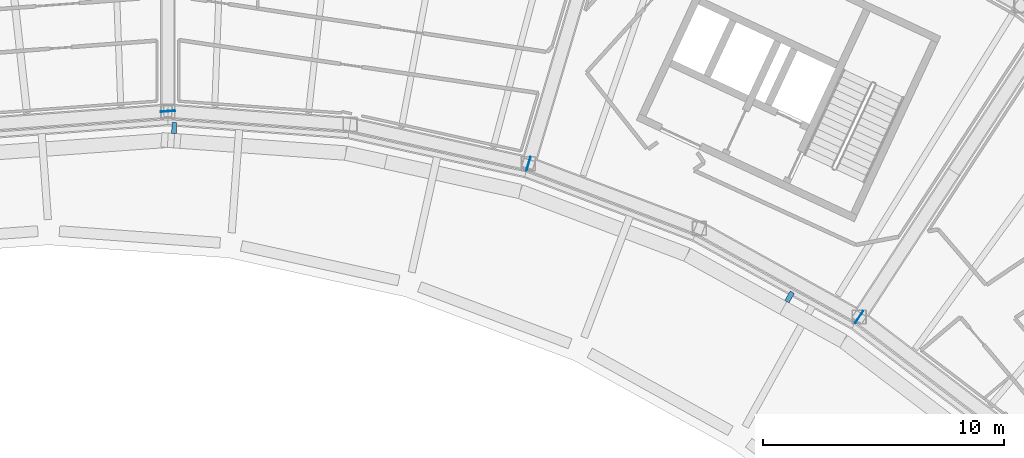
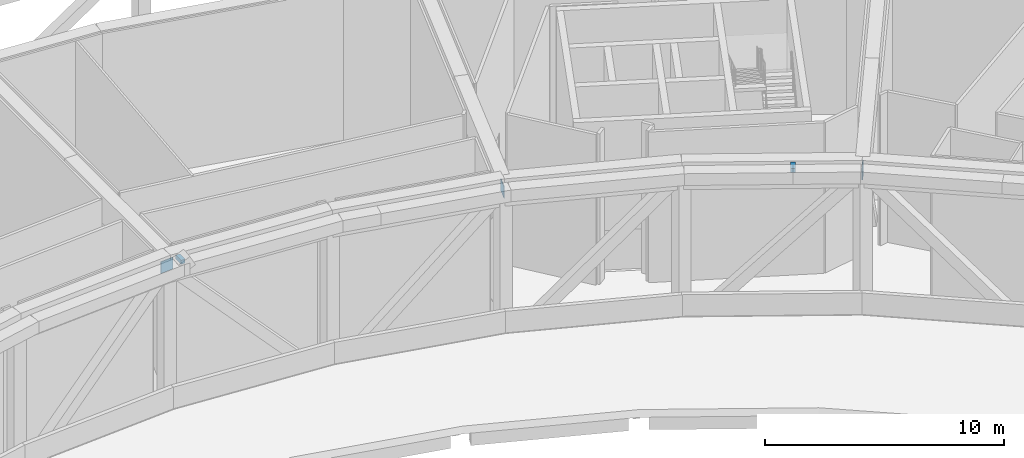
# One storey, part 18 of 27: 5 discrete accessories.
"""IFC4 building model written with IfcOpenShell, lengths in metres."""

from ifc_helpers import new_model, si_unit, direction, frame, origin, origin_2d, place, context, subcontext, project, spatial, rectangle, extrude, material, type_object, element, save


model = new_model("IFC4")

# Units and contexts
model_context = context("Model", 3, precision=1e-05, world=origin(), true_north=direction((0.0, 1.0)))
body_context = subcontext(model_context, "Body", "Model", "MODEL_VIEW")
ifc_project = project(units=[si_unit("LENGTHUNIT", "METRE"), si_unit("AREAUNIT", "SQUARE_METRE"), si_unit("VOLUMEUNIT", "CUBIC_METRE"), si_unit("PLANEANGLEUNIT", "RADIAN"), si_unit("MASSUNIT", "GRAM", prefix="KILO")], contexts=[model_context])

# Site, building, storey
site_placement = place(None, origin())
site = spatial("IfcSite", under=ifc_project, at=site_placement, CompositionType="ELEMENT")
building_placement = place(site_placement, origin())
building = spatial("IfcBuilding", under=site, at=building_placement, Name="Tuul Gate Civic Tower", CompositionType="ELEMENT")
storey_placement = place(building_placement, frame((0.0, 0.0, 201.5)))
storey = spatial("IfcBuildingStorey", under=building, at=storey_placement, Name="Wind floor 1", CompositionType="ELEMENT", Elevation=201.5)

# Discrete accessories
ifc_material_1 = material(Name="Steel S355", Category="steel")
discrete_accessory_type_1 = type_object("IfcDiscreteAccessoryType", Name="Gusset plate", PredefinedType="BRACKET", material=ifc_material_1)
for number, where, z_axis, x_axis, name in (
    (1, (34.666015625, -11.33935546875, 6.70361328125), (0.0, 0.0, 1.0), (0.546721915066, 0.837314246616, 0.0), "Gusset plate"),
    (2, (20.92626953125, -4.97509765625, 6.70361328125), (0.0, 0.0, 1.0), (0.285212112775, 0.958464423297, 0.0), "Gusset plate"),
    (3, (5.93994140625, -2.789794921875, 6.70361328125), (0.0, 0.0, 1.0), (-0.997381904937, -0.07231414595, 0.0), "Gusset plate"),
):
    element("IfcDiscreteAccessory", number, at=place(storey_placement, frame(where, z_axis=z_axis, x_axis=x_axis)), inside=storey, type_object=discrete_accessory_type_1, Name=name, PredefinedType="BRACKET", context=body_context, shape_type="SweptSolid", body=[
        extrude(rectangle(XDim=0.60009765625, YDim=0.030029296875, at=origin_2d()), origin(), (0.0, 0.0, 1.0), 0.60009765625),
    ])
ifc_material_2 = material(Name="Stainless steel", Category="steel")
discrete_accessory_type_2 = type_object("IfcDiscreteAccessoryType", Name="Screen bracket", PredefinedType="BRACKET", material=ifc_material_2)
discrete_accessory_1_placement = place(storey_placement, frame((6.204345703125, -3.48681640625, 7.5498046875), z_axis=(0.0, 0.0, 1.0), x_axis=(-0.005096339355, -0.999987013578, 0.0)))
element("IfcDiscreteAccessory", 4, at=discrete_accessory_1_placement, inside=storey, type_object=discrete_accessory_type_2, Name="Screen bracket 25", PredefinedType="BRACKET", context=body_context, shape_type="SweptSolid", body=[
    extrude(rectangle(XDim=0.450927734375, YDim=0.199951171875, at=origin_2d()), origin(), (0.0, 0.0, 1.0), 0.199951171875),
])
discrete_accessory_2_placement = place(storey_placement, frame((31.775390625, -10.50732421875, 7.5498046875), z_axis=(0.0, 0.0, 1.0), x_axis=(-0.499366548081, -0.86639081866, 0.0)))
element("IfcDiscreteAccessory", 5, at=discrete_accessory_2_placement, inside=storey, type_object=discrete_accessory_type_2, Name="Screen bracket 28", PredefinedType="BRACKET", context=body_context, shape_type="SweptSolid", body=[
    extrude(rectangle(XDim=0.4501953125, YDim=0.199951171875, at=origin_2d()), origin(), (0.0, 0.0, 1.0), 0.199951171875),
])

save(model, "model.ifc")
